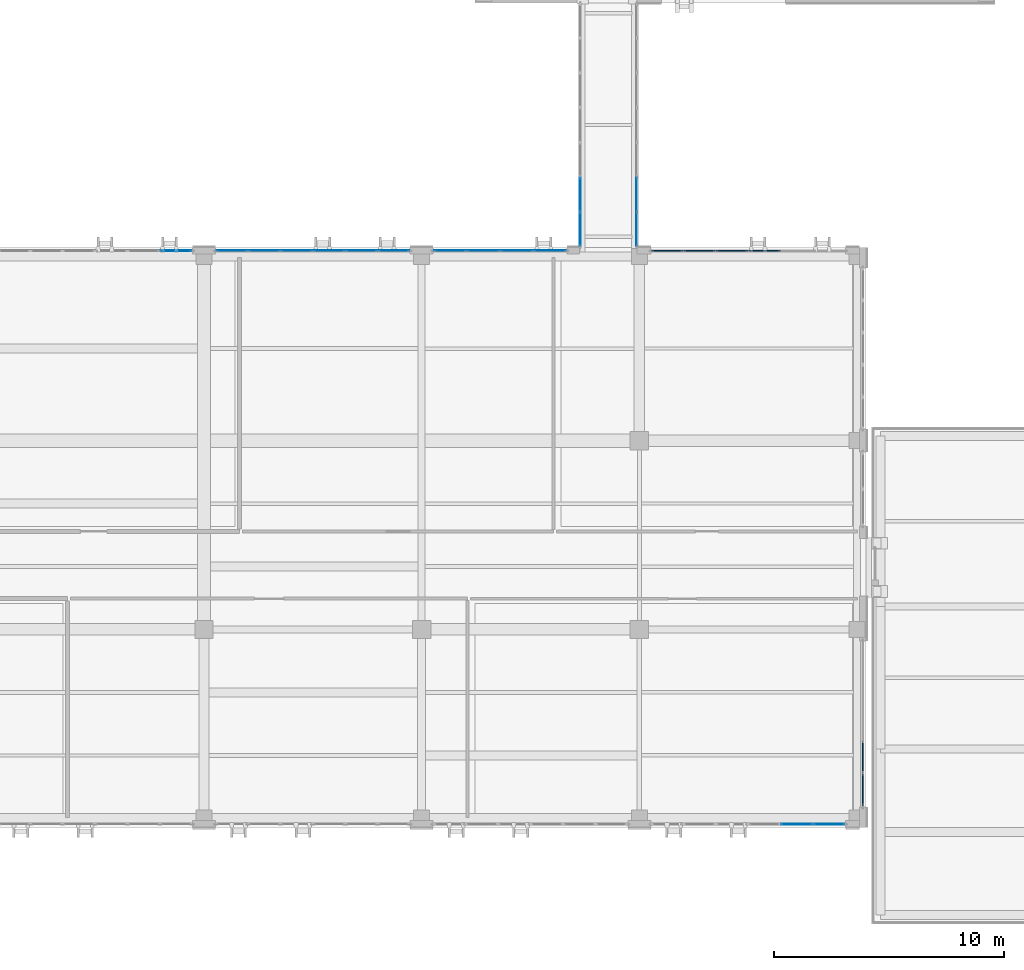
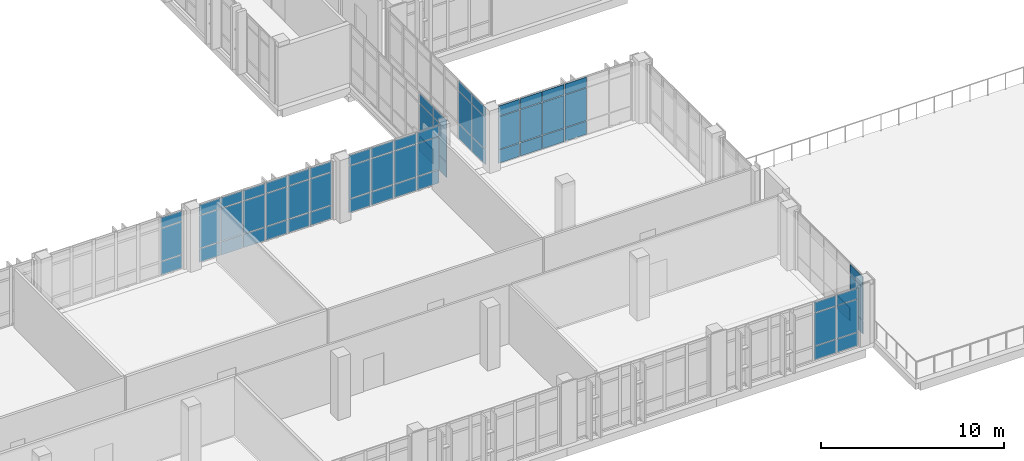
# One storey, part 119 of 165: 67 plates, 8 elements without a shape of their own.
"""IFC4 building model written with IfcOpenShell, lengths in metres."""

from ifc_helpers import new_model, si_unit, direction, frame, origin, origin_2d, place, context, subcontext, project, spatial, rectangle, extrude, material, layer, layer_set, type_object, element, aggregate, save


model = new_model("IFC4")

# Units and contexts
model_context = context("Model", 3, precision=1e-05, world=origin(), true_north=direction((0.0, 1.0)))
body_context = subcontext(model_context, "Body", "Model", "MODEL_VIEW")
ifc_project = project(units=[si_unit("LENGTHUNIT", "METRE"), si_unit("AREAUNIT", "SQUARE_METRE"), si_unit("VOLUMEUNIT", "CUBIC_METRE"), si_unit("PLANEANGLEUNIT", "RADIAN"), si_unit("MASSUNIT", "GRAM", prefix="KILO")], contexts=[model_context])

# Site, building, storey
site_placement = place(None, origin())
site = spatial("IfcSite", under=ifc_project, at=site_placement, CompositionType="ELEMENT")
building_placement = place(site_placement, origin())
building = spatial("IfcBuilding", under=site, at=building_placement, Name="Qalavern Law Courts", CompositionType="ELEMENT")
storey_placement = place(building_placement, frame((0.0, 0.0, 14.39990234375)))
storey = spatial("IfcBuildingStorey", under=building, at=storey_placement, Name="L03", CompositionType="ELEMENT", Elevation=14.39990234375)

# Curtain wall, plates
ifc_material_1 = material(Name="Anodised aluminium and insulated glazing", Category="aluminium")
ifc_layer_1 = layer(ifc_material_1, 0.18505859375)
ifc_layer_set_1 = layer_set([ifc_layer_1], Name="Anodised aluminium and insulated glazing")
curtain_wall_type_1 = type_object("IfcCurtainWallType", Name="ENV-CW-HALL", PredefinedType="USERDEFINED", material=ifc_layer_set_1)
curtain_wall_1_placement = place(storey_placement, origin())
curtain_wall_1 = element("IfcCurtainWall", 1, at=curtain_wall_1_placement, inside=storey, type_object=curtain_wall_type_1, Name="V2 unitised curtain wall L03 north 1", ObjectType="UNITISED CURTAIN WALL", PredefinedType="USERDEFINED")
ifc_material_2 = material(Name="Insulated low-E acoustic glazing", Category="glass")
ifc_layer_2 = layer(ifc_material_2, 0.02392578125)
ifc_layer_set_2 = layer_set([ifc_layer_2], Name="Insulated low-E acoustic glazing")
plate_type_1 = type_object("IfcPlateType", Name="ENV-CWP-24", PredefinedType="CURTAIN_PANEL", material=ifc_layer_set_2)
plate_1_placement = place(storey_placement, frame((87.4619140625, 30.25244140625, 0.048095703125), z_axis=(0.0, 0.0, 1.0), x_axis=(-1.0, 0.0, 0.0)))
plate_1 = element("IfcPlate", 2, at=plate_1_placement, type_object=plate_type_1, Name="CW-02 panel 1.1", PredefinedType="CURTAIN_PANEL", context=body_context, shape_type="SweptSolid", body=[
    extrude(rectangle(XDim=1.380126953125, YDim=0.02392578125, at=origin_2d()), origin(), (0.0, 0.0, 1.0), 0.8779296875),
])
plate_2_placement = place(storey_placement, frame((87.4619140625, 30.25244140625, 0.97412109375), z_axis=(0.0, 0.0, 1.0), x_axis=(-1.0, 0.0, 0.0)))
plate_2 = element("IfcPlate", 3, at=plate_2_placement, type_object=plate_type_1, Name="CW-02 panel 1.2", PredefinedType="CURTAIN_PANEL", context=body_context, shape_type="SweptSolid", body=[
    extrude(rectangle(XDim=1.380126953125, YDim=0.02392578125, at=origin_2d()), origin(), (0.0, 0.0, 1.0), 2.172119140625),
])
plate_3_placement = place(storey_placement, frame((87.4619140625, 30.25244140625, 3.1943359375), z_axis=(0.0, 0.0, 1.0), x_axis=(-1.0, 0.0, 0.0)))
plate_3 = element("IfcPlate", 4, at=plate_3_placement, type_object=plate_type_1, Name="CW-02 panel 1.3", PredefinedType="CURTAIN_PANEL", context=body_context, shape_type="SweptSolid", body=[
    extrude(rectangle(XDim=1.380126953125, YDim=0.02392578125, at=origin_2d()), origin(), (0.0, 0.0, 1.0), 0.677978515625),
])
plate_4_placement = place(storey_placement, frame((86.021728515625, 30.25244140625, 0.048095703125), z_axis=(0.0, 0.0, 1.0), x_axis=(-1.0, 0.0, 0.0)))
plate_4 = element("IfcPlate", 5, at=plate_4_placement, type_object=plate_type_1, Name="CW-02 panel 2.1", PredefinedType="CURTAIN_PANEL", context=body_context, shape_type="SweptSolid", body=[
    extrude(rectangle(XDim=1.404052734375, YDim=0.02392578125, at=origin_2d()), origin(), (0.0, 0.0, 1.0), 0.8779296875),
])
plate_5_placement = place(storey_placement, frame((86.021728515625, 30.25244140625, 0.97412109375), z_axis=(0.0, 0.0, 1.0), x_axis=(-1.0, 0.0, 0.0)))
plate_5 = element("IfcPlate", 6, at=plate_5_placement, type_object=plate_type_1, Name="CW-02 panel 2.2", PredefinedType="CURTAIN_PANEL", context=body_context, shape_type="SweptSolid", body=[
    extrude(rectangle(XDim=1.404052734375, YDim=0.02392578125, at=origin_2d()), origin(), (0.0, 0.0, 1.0), 2.172119140625),
])
plate_6_placement = place(storey_placement, frame((86.021728515625, 30.25244140625, 3.1943359375), z_axis=(0.0, 0.0, 1.0), x_axis=(-1.0, 0.0, 0.0)))
plate_6 = element("IfcPlate", 7, at=plate_6_placement, type_object=plate_type_1, Name="CW-02 panel 2.3", PredefinedType="CURTAIN_PANEL", context=body_context, shape_type="SweptSolid", body=[
    extrude(rectangle(XDim=1.404052734375, YDim=0.02392578125, at=origin_2d()), origin(), (0.0, 0.0, 1.0), 0.677978515625),
])
plate_7_placement = place(storey_placement, frame((84.569580078125, 30.25244140625, 0.048095703125), z_axis=(0.0, 0.0, 1.0), x_axis=(-1.0, 0.0, 0.0)))
plate_7 = element("IfcPlate", 8, at=plate_7_placement, type_object=plate_type_1, Name="CW-02 panel 3.1", PredefinedType="CURTAIN_PANEL", context=body_context, shape_type="SweptSolid", body=[
    extrude(rectangle(XDim=1.404052734375, YDim=0.02392578125, at=origin_2d()), origin(), (0.0, 0.0, 1.0), 0.8779296875),
])
plate_8_placement = place(storey_placement, frame((84.569580078125, 30.25244140625, 0.97412109375), z_axis=(0.0, 0.0, 1.0), x_axis=(-1.0, 0.0, 0.0)))
plate_8 = element("IfcPlate", 9, at=plate_8_placement, type_object=plate_type_1, Name="CW-02 panel 3.2", PredefinedType="CURTAIN_PANEL", context=body_context, shape_type="SweptSolid", body=[
    extrude(rectangle(XDim=1.404052734375, YDim=0.02392578125, at=origin_2d()), origin(), (0.0, 0.0, 1.0), 2.172119140625),
])
plate_9_placement = place(storey_placement, frame((84.569580078125, 30.25244140625, 3.1943359375), z_axis=(0.0, 0.0, 1.0), x_axis=(-1.0, 0.0, 0.0)))
plate_9 = element("IfcPlate", 10, at=plate_9_placement, type_object=plate_type_1, Name="CW-02 panel 3.3", PredefinedType="CURTAIN_PANEL", context=body_context, shape_type="SweptSolid", body=[
    extrude(rectangle(XDim=1.404052734375, YDim=0.02392578125, at=origin_2d()), origin(), (0.0, 0.0, 1.0), 0.677978515625),
])
plate_10_placement = place(storey_placement, frame((83.12939453125, 30.25244140625, 0.048095703125), z_axis=(0.0, 0.0, 1.0), x_axis=(-1.0, 0.0, 0.0)))
plate_10 = element("IfcPlate", 11, at=plate_10_placement, type_object=plate_type_1, Name="CW-02 panel 4.1", PredefinedType="CURTAIN_PANEL", context=body_context, shape_type="SweptSolid", body=[
    extrude(rectangle(XDim=1.380126953125, YDim=0.02392578125, at=origin_2d()), origin(), (0.0, 0.0, 1.0), 0.8779296875),
])
plate_11_placement = place(storey_placement, frame((83.12939453125, 30.25244140625, 0.97412109375), z_axis=(0.0, 0.0, 1.0), x_axis=(-1.0, 0.0, 0.0)))
plate_11 = element("IfcPlate", 12, at=plate_11_placement, type_object=plate_type_1, Name="CW-02 panel 4.2", PredefinedType="CURTAIN_PANEL", context=body_context, shape_type="SweptSolid", body=[
    extrude(rectangle(XDim=1.380126953125, YDim=0.02392578125, at=origin_2d()), origin(), (0.0, 0.0, 1.0), 2.172119140625),
])
plate_12_placement = place(storey_placement, frame((83.12939453125, 30.25244140625, 3.1943359375), z_axis=(0.0, 0.0, 1.0), x_axis=(-1.0, 0.0, 0.0)))
plate_12 = element("IfcPlate", 13, at=plate_12_placement, type_object=plate_type_1, Name="CW-02 panel 4.3", PredefinedType="CURTAIN_PANEL", context=body_context, shape_type="SweptSolid", body=[
    extrude(rectangle(XDim=1.380126953125, YDim=0.02392578125, at=origin_2d()), origin(), (0.0, 0.0, 1.0), 0.677978515625),
])
aggregate(curtain_wall_1, [plate_1, plate_2, plate_3, plate_4, plate_5, plate_6, plate_7, plate_8, plate_9, plate_10, plate_11, plate_12])

curtain_wall_2_placement = place(storey_placement, origin())
curtain_wall_2 = element("IfcCurtainWall", 14, at=curtain_wall_2_placement, inside=storey, type_object=curtain_wall_type_1, Name="V2 unitised curtain wall L03 north 2", ObjectType="UNITISED CURTAIN WALL", PredefinedType="USERDEFINED")
ifc_layer_3 = layer(ifc_material_2, 0.028076171875)
ifc_layer_set_3 = layer_set([ifc_layer_3], Name="Insulated low-E acoustic glazing")
plate_type_2 = type_object("IfcPlateType", Name="ENV-CWP-28", PredefinedType="CURTAIN_PANEL", material=ifc_layer_set_3)
plate_13_placement = place(storey_placement, frame((80.6748046875, 30.25244140625, 0.048095703125), z_axis=(0.0, 0.0, 1.0), x_axis=(-1.0, 0.0, 0.0)))
plate_13 = element("IfcPlate", 15, at=plate_13_placement, type_object=plate_type_2, Name="CW-02 panel 1.1", PredefinedType="CURTAIN_PANEL", context=body_context, shape_type="SweptSolid", body=[
    extrude(rectangle(XDim=1.337158203125, YDim=0.028076171875, at=origin_2d()), origin(), (0.0, 0.0, 1.0), 0.8779296875),
])
plate_14_placement = place(storey_placement, frame((80.6748046875, 30.25244140625, 0.97412109375), z_axis=(0.0, 0.0, 1.0), x_axis=(-1.0, 0.0, 0.0)))
plate_14 = element("IfcPlate", 16, at=plate_14_placement, type_object=plate_type_2, Name="CW-02 panel 1.2", PredefinedType="CURTAIN_PANEL", context=body_context, shape_type="SweptSolid", body=[
    extrude(rectangle(XDim=1.337158203125, YDim=0.028076171875, at=origin_2d()), origin(), (0.0, 0.0, 1.0), 2.172119140625),
])
plate_15_placement = place(storey_placement, frame((80.6748046875, 30.25244140625, 3.1943359375), z_axis=(0.0, 0.0, 1.0), x_axis=(-1.0, 0.0, 0.0)))
plate_15 = element("IfcPlate", 17, at=plate_15_placement, type_object=plate_type_2, Name="CW-02 panel 1.3", PredefinedType="CURTAIN_PANEL", context=body_context, shape_type="SweptSolid", body=[
    extrude(rectangle(XDim=1.337158203125, YDim=0.028076171875, at=origin_2d()), origin(), (0.0, 0.0, 1.0), 0.677978515625),
])
plate_16_placement = place(storey_placement, frame((79.27783203125, 30.25244140625, 0.048095703125), z_axis=(0.0, 0.0, 1.0), x_axis=(-1.0, 0.0, 0.0)))
plate_16 = element("IfcPlate", 18, at=plate_16_placement, type_object=plate_type_2, Name="CW-02 panel 2.1", PredefinedType="CURTAIN_PANEL", context=body_context, shape_type="SweptSolid", body=[
    extrude(rectangle(XDim=1.361083984375, YDim=0.028076171875, at=origin_2d()), origin(), (0.0, 0.0, 1.0), 0.8779296875),
])
plate_17_placement = place(storey_placement, frame((79.27783203125, 30.25244140625, 0.97412109375), z_axis=(0.0, 0.0, 1.0), x_axis=(-1.0, 0.0, 0.0)))
plate_17 = element("IfcPlate", 19, at=plate_17_placement, type_object=plate_type_2, Name="CW-02 panel 2.2", PredefinedType="CURTAIN_PANEL", context=body_context, shape_type="SweptSolid", body=[
    extrude(rectangle(XDim=1.361083984375, YDim=0.028076171875, at=origin_2d()), origin(), (0.0, 0.0, 1.0), 2.172119140625),
])
plate_18_placement = place(storey_placement, frame((79.27783203125, 30.25244140625, 3.1943359375), z_axis=(0.0, 0.0, 1.0), x_axis=(-1.0, 0.0, 0.0)))
plate_18 = element("IfcPlate", 20, at=plate_18_placement, type_object=plate_type_2, Name="CW-02 panel 2.3", PredefinedType="CURTAIN_PANEL", context=body_context, shape_type="SweptSolid", body=[
    extrude(rectangle(XDim=1.361083984375, YDim=0.028076171875, at=origin_2d()), origin(), (0.0, 0.0, 1.0), 0.677978515625),
])
plate_19_placement = place(storey_placement, frame((77.868896484375, 30.25244140625, 0.048095703125), z_axis=(0.0, 0.0, 1.0), x_axis=(-1.0, 0.0, 0.0)))
plate_19 = element("IfcPlate", 21, at=plate_19_placement, type_object=plate_type_2, Name="CW-02 panel 3.1", PredefinedType="CURTAIN_PANEL", context=body_context, shape_type="SweptSolid", body=[
    extrude(rectangle(XDim=1.361083984375, YDim=0.028076171875, at=origin_2d()), origin(), (0.0, 0.0, 1.0), 0.8779296875),
])
plate_20_placement = place(storey_placement, frame((77.868896484375, 30.25244140625, 0.97412109375), z_axis=(0.0, 0.0, 1.0), x_axis=(-1.0, 0.0, 0.0)))
plate_20 = element("IfcPlate", 22, at=plate_20_placement, type_object=plate_type_2, Name="CW-02 panel 3.2", PredefinedType="CURTAIN_PANEL", context=body_context, shape_type="SweptSolid", body=[
    extrude(rectangle(XDim=1.361083984375, YDim=0.028076171875, at=origin_2d()), origin(), (0.0, 0.0, 1.0), 2.172119140625),
])
plate_21_placement = place(storey_placement, frame((77.868896484375, 30.25244140625, 3.1943359375), z_axis=(0.0, 0.0, 1.0), x_axis=(-1.0, 0.0, 0.0)))
plate_21 = element("IfcPlate", 23, at=plate_21_placement, type_object=plate_type_2, Name="CW-02 panel 3.3", PredefinedType="CURTAIN_PANEL", context=body_context, shape_type="SweptSolid", body=[
    extrude(rectangle(XDim=1.361083984375, YDim=0.028076171875, at=origin_2d()), origin(), (0.0, 0.0, 1.0), 0.677978515625),
])
plate_22_placement = place(storey_placement, frame((76.459716796875, 30.25244140625, 0.048095703125), z_axis=(0.0, 0.0, 1.0), x_axis=(-1.0, 0.0, 0.0)))
plate_22 = element("IfcPlate", 24, at=plate_22_placement, type_object=plate_type_2, Name="CW-02 panel 4.1", PredefinedType="CURTAIN_PANEL", context=body_context, shape_type="SweptSolid", body=[
    extrude(rectangle(XDim=1.361083984375, YDim=0.028076171875, at=origin_2d()), origin(), (0.0, 0.0, 1.0), 0.8779296875),
])
plate_23_placement = place(storey_placement, frame((76.459716796875, 30.25244140625, 0.97412109375), z_axis=(0.0, 0.0, 1.0), x_axis=(-1.0, 0.0, 0.0)))
plate_23 = element("IfcPlate", 25, at=plate_23_placement, type_object=plate_type_2, Name="CW-02 panel 4.2", PredefinedType="CURTAIN_PANEL", context=body_context, shape_type="SweptSolid", body=[
    extrude(rectangle(XDim=1.361083984375, YDim=0.028076171875, at=origin_2d()), origin(), (0.0, 0.0, 1.0), 2.172119140625),
])
plate_24_placement = place(storey_placement, frame((76.459716796875, 30.25244140625, 3.1943359375), z_axis=(0.0, 0.0, 1.0), x_axis=(-1.0, 0.0, 0.0)))
plate_24 = element("IfcPlate", 26, at=plate_24_placement, type_object=plate_type_2, Name="CW-02 panel 4.3", PredefinedType="CURTAIN_PANEL", context=body_context, shape_type="SweptSolid", body=[
    extrude(rectangle(XDim=1.361083984375, YDim=0.028076171875, at=origin_2d()), origin(), (0.0, 0.0, 1.0), 0.677978515625),
])
plate_25_placement = place(storey_placement, frame((75.05078125, 30.25244140625, 0.048095703125), z_axis=(0.0, 0.0, 1.0), x_axis=(-1.0, 0.0, 0.0)))
plate_25 = element("IfcPlate", 27, at=plate_25_placement, type_object=plate_type_2, Name="CW-02 panel 5.1", PredefinedType="CURTAIN_PANEL", context=body_context, shape_type="SweptSolid", body=[
    extrude(rectangle(XDim=1.361083984375, YDim=0.028076171875, at=origin_2d()), origin(), (0.0, 0.0, 1.0), 0.8779296875),
])
plate_26_placement = place(storey_placement, frame((75.05078125, 30.25244140625, 0.97412109375), z_axis=(0.0, 0.0, 1.0), x_axis=(-1.0, 0.0, 0.0)))
plate_26 = element("IfcPlate", 28, at=plate_26_placement, type_object=plate_type_2, Name="CW-02 panel 5.2", PredefinedType="CURTAIN_PANEL", context=body_context, shape_type="SweptSolid", body=[
    extrude(rectangle(XDim=1.361083984375, YDim=0.028076171875, at=origin_2d()), origin(), (0.0, 0.0, 1.0), 2.172119140625),
])
plate_27_placement = place(storey_placement, frame((75.05078125, 30.25244140625, 3.1943359375), z_axis=(0.0, 0.0, 1.0), x_axis=(-1.0, 0.0, 0.0)))
plate_27 = element("IfcPlate", 29, at=plate_27_placement, type_object=plate_type_2, Name="CW-02 panel 5.3", PredefinedType="CURTAIN_PANEL", context=body_context, shape_type="SweptSolid", body=[
    extrude(rectangle(XDim=1.361083984375, YDim=0.028076171875, at=origin_2d()), origin(), (0.0, 0.0, 1.0), 0.677978515625),
])
plate_28_placement = place(storey_placement, frame((73.653564453125, 30.25244140625, 0.048095703125), z_axis=(0.0, 0.0, 1.0), x_axis=(-1.0, 0.0, 0.0)))
plate_28 = element("IfcPlate", 30, at=plate_28_placement, type_object=plate_type_2, Name="CW-02 panel 6.1", PredefinedType="CURTAIN_PANEL", context=body_context, shape_type="SweptSolid", body=[
    extrude(rectangle(XDim=1.337158203125, YDim=0.028076171875, at=origin_2d()), origin(), (0.0, 0.0, 1.0), 0.8779296875),
])
plate_29_placement = place(storey_placement, frame((73.653564453125, 30.25244140625, 0.97412109375), z_axis=(0.0, 0.0, 1.0), x_axis=(-1.0, 0.0, 0.0)))
plate_29 = element("IfcPlate", 31, at=plate_29_placement, type_object=plate_type_2, Name="CW-02 panel 6.2", PredefinedType="CURTAIN_PANEL", context=body_context, shape_type="SweptSolid", body=[
    extrude(rectangle(XDim=1.337158203125, YDim=0.028076171875, at=origin_2d()), origin(), (0.0, 0.0, 1.0), 2.172119140625),
])
plate_30_placement = place(storey_placement, frame((73.653564453125, 30.25244140625, 3.1943359375), z_axis=(0.0, 0.0, 1.0), x_axis=(-1.0, 0.0, 0.0)))
plate_30 = element("IfcPlate", 32, at=plate_30_placement, type_object=plate_type_2, Name="CW-02 panel 6.3", PredefinedType="CURTAIN_PANEL", context=body_context, shape_type="SweptSolid", body=[
    extrude(rectangle(XDim=1.337158203125, YDim=0.028076171875, at=origin_2d()), origin(), (0.0, 0.0, 1.0), 0.677978515625),
])
aggregate(curtain_wall_2, [plate_13, plate_14, plate_15, plate_16, plate_17, plate_18, plate_19, plate_20, plate_21, plate_22, plate_23, plate_24, plate_25, plate_26, plate_27, plate_28, plate_29, plate_30])

curtain_wall_3_placement = place(storey_placement, origin())
curtain_wall_3 = element("IfcCurtainWall", 33, at=curtain_wall_3_placement, inside=storey, type_object=curtain_wall_type_1, Name="V2 unitised curtain wall L03 north 3", ObjectType="UNITISED CURTAIN WALL", PredefinedType="USERDEFINED")
ifc_layer_4 = layer(ifc_material_2, 0.031982421875)
ifc_layer_set_4 = layer_set([ifc_layer_4], Name="Insulated low-E acoustic glazing")
plate_type_3 = type_object("IfcPlateType", Name="ENV-CWP-32", PredefinedType="CURTAIN_PANEL", material=ifc_layer_set_4)
plate_31_placement = place(storey_placement, frame((71.220703125, 30.25244140625, 0.048095703125), z_axis=(0.0, 0.0, 1.0), x_axis=(-1.0, 0.0, 0.0)))
plate_31 = element("IfcPlate", 34, at=plate_31_placement, type_object=plate_type_3, Name="CW-02 panel 1.1", PredefinedType="CURTAIN_PANEL", context=body_context, shape_type="SweptSolid", body=[
    extrude(rectangle(XDim=1.3369140625, YDim=0.031982421875, at=origin_2d()), origin(), (0.0, 0.0, 1.0), 0.8779296875),
])
plate_32_placement = place(storey_placement, frame((71.220703125, 30.25244140625, 0.97412109375), z_axis=(0.0, 0.0, 1.0), x_axis=(-1.0, 0.0, 0.0)))
plate_32 = element("IfcPlate", 35, at=plate_32_placement, type_object=plate_type_3, Name="CW-02 panel 1.2", PredefinedType="CURTAIN_PANEL", context=body_context, shape_type="SweptSolid", body=[
    extrude(rectangle(XDim=1.3369140625, YDim=0.031982421875, at=origin_2d()), origin(), (0.0, 0.0, 1.0), 2.172119140625),
])
plate_33_placement = place(storey_placement, frame((71.220703125, 30.25244140625, 3.1943359375), z_axis=(0.0, 0.0, 1.0), x_axis=(-1.0, 0.0, 0.0)))
plate_33 = element("IfcPlate", 36, at=plate_33_placement, type_object=plate_type_3, Name="CW-02 panel 1.3", PredefinedType="CURTAIN_PANEL", context=body_context, shape_type="SweptSolid", body=[
    extrude(rectangle(XDim=1.3369140625, YDim=0.031982421875, at=origin_2d()), origin(), (0.0, 0.0, 1.0), 0.677978515625),
])
aggregate(curtain_wall_3, [plate_31, plate_32, plate_33])

ifc_layer_5 = layer(ifc_material_1, 0.14990234375)
ifc_layer_set_5 = layer_set([ifc_layer_5], Name="Anodised aluminium and insulated glazing")
curtain_wall_type_2 = type_object("IfcCurtainWallType", Name="ENV-CW-BRG", PredefinedType="USERDEFINED", material=ifc_layer_set_5)
curtain_wall_4_placement = place(storey_placement, origin())
curtain_wall_4 = element("IfcCurtainWall", 37, at=curtain_wall_4_placement, inside=storey, type_object=curtain_wall_type_2, Name="Bridge BR-V2-V4 glazed curtain wall L03-1", ObjectType="UNITISED CURTAIN WALL", PredefinedType="USERDEFINED")
plate_34_placement = place(storey_placement, frame((88.77490234375, 32.687255859375, 0.048095703125), z_axis=(0.0, 0.0, 1.0), x_axis=(0.0, -1.0, 0.0)))
plate_34 = element("IfcPlate", 38, at=plate_34_placement, type_object=plate_type_3, Name="CW-06 panel 6.1", PredefinedType="CURTAIN_PANEL", context=body_context, shape_type="SweptSolid", body=[
    extrude(rectangle(XDim=1.46337890625, YDim=0.031982421875, at=origin_2d()), origin(), (0.0, 0.0, 1.0), 0.97802734375),
])
plate_35_placement = place(storey_placement, frame((88.77490234375, 32.687255859375, 1.073974609375), z_axis=(0.0, 0.0, 1.0), x_axis=(0.0, -1.0, 0.0)))
plate_35 = element("IfcPlate", 39, at=plate_35_placement, type_object=plate_type_3, Name="CW-06 panel 6.2", PredefinedType="CURTAIN_PANEL", context=body_context, shape_type="SweptSolid", body=[
    extrude(rectangle(XDim=1.46337890625, YDim=0.031982421875, at=origin_2d()), origin(), (0.0, 0.0, 1.0), 2.1220703125),
])
plate_36_placement = place(storey_placement, frame((88.77490234375, 32.687255859375, 3.244140625), z_axis=(0.0, 0.0, 1.0), x_axis=(0.0, -1.0, 0.0)))
plate_36 = element("IfcPlate", 40, at=plate_36_placement, type_object=plate_type_3, Name="CW-06 panel 6.3", PredefinedType="CURTAIN_PANEL", context=body_context, shape_type="SweptSolid", body=[
    extrude(rectangle(XDim=1.46337890625, YDim=0.031982421875, at=origin_2d()), origin(), (0.0, 0.0, 1.0), 0.6279296875),
])
plate_37_placement = place(storey_placement, frame((88.77490234375, 31.187744140625, 0.048095703125), z_axis=(0.0, 0.0, 1.0), x_axis=(0.0, -1.0, 0.0)))
plate_37 = element("IfcPlate", 41, at=plate_37_placement, type_object=plate_type_3, Name="CW-06 panel 7.1", PredefinedType="CURTAIN_PANEL", context=body_context, shape_type="SweptSolid", body=[
    extrude(rectangle(XDim=1.439453125, YDim=0.031982421875, at=origin_2d()), origin(), (0.0, 0.0, 1.0), 0.97802734375),
])
plate_38_placement = place(storey_placement, frame((88.77490234375, 31.187744140625, 1.073974609375), z_axis=(0.0, 0.0, 1.0), x_axis=(0.0, -1.0, 0.0)))
plate_38 = element("IfcPlate", 42, at=plate_38_placement, type_object=plate_type_3, Name="CW-06 panel 7.2", PredefinedType="CURTAIN_PANEL", context=body_context, shape_type="SweptSolid", body=[
    extrude(rectangle(XDim=1.439453125, YDim=0.031982421875, at=origin_2d()), origin(), (0.0, 0.0, 1.0), 2.1220703125),
])
plate_39_placement = place(storey_placement, frame((88.77490234375, 31.187744140625, 3.244140625), z_axis=(0.0, 0.0, 1.0), x_axis=(0.0, -1.0, 0.0)))
plate_39 = element("IfcPlate", 43, at=plate_39_placement, type_object=plate_type_3, Name="CW-06 panel 7.3", PredefinedType="CURTAIN_PANEL", context=body_context, shape_type="SweptSolid", body=[
    extrude(rectangle(XDim=1.439453125, YDim=0.031982421875, at=origin_2d()), origin(), (0.0, 0.0, 1.0), 0.6279296875),
])
aggregate(curtain_wall_4, [plate_34, plate_35, plate_36, plate_37, plate_38, plate_39])

curtain_wall_5_placement = place(storey_placement, origin())
curtain_wall_5 = element("IfcCurtainWall", 44, at=curtain_wall_5_placement, inside=storey, type_object=curtain_wall_type_2, Name="Bridge BR-V2-V4 glazed curtain wall L03-2", ObjectType="UNITISED CURTAIN WALL", PredefinedType="USERDEFINED")
plate_40_placement = place(storey_placement, frame((91.22509765625, 31.187744140625, 0.048095703125), z_axis=(0.0, 0.0, 1.0), x_axis=(0.0, 1.0, 0.0)))
plate_40 = element("IfcPlate", 45, at=plate_40_placement, type_object=plate_type_3, Name="CW-06 panel 1.1", PredefinedType="CURTAIN_PANEL", context=body_context, shape_type="SweptSolid", body=[
    extrude(rectangle(XDim=1.439453125, YDim=0.031982421875, at=origin_2d()), origin(), (0.0, 0.0, 1.0), 0.97802734375),
])
plate_41_placement = place(storey_placement, frame((91.22509765625, 31.187744140625, 1.073974609375), z_axis=(0.0, 0.0, 1.0), x_axis=(0.0, 1.0, 0.0)))
plate_41 = element("IfcPlate", 46, at=plate_41_placement, type_object=plate_type_3, Name="CW-06 panel 1.2", PredefinedType="CURTAIN_PANEL", context=body_context, shape_type="SweptSolid", body=[
    extrude(rectangle(XDim=1.439453125, YDim=0.031982421875, at=origin_2d()), origin(), (0.0, 0.0, 1.0), 2.1220703125),
])
plate_42_placement = place(storey_placement, frame((91.22509765625, 31.187744140625, 3.244140625), z_axis=(0.0, 0.0, 1.0), x_axis=(0.0, 1.0, 0.0)))
plate_42 = element("IfcPlate", 47, at=plate_42_placement, type_object=plate_type_3, Name="CW-06 panel 1.3", PredefinedType="CURTAIN_PANEL", context=body_context, shape_type="SweptSolid", body=[
    extrude(rectangle(XDim=1.439453125, YDim=0.031982421875, at=origin_2d()), origin(), (0.0, 0.0, 1.0), 0.6279296875),
])
plate_43_placement = place(storey_placement, frame((91.22509765625, 32.687255859375, 0.048095703125), z_axis=(0.0, 0.0, 1.0), x_axis=(0.0, 1.0, 0.0)))
plate_43 = element("IfcPlate", 48, at=plate_43_placement, type_object=plate_type_3, Name="CW-06 panel 2.1", PredefinedType="CURTAIN_PANEL", context=body_context, shape_type="SweptSolid", body=[
    extrude(rectangle(XDim=1.46337890625, YDim=0.031982421875, at=origin_2d()), origin(), (0.0, 0.0, 1.0), 0.97802734375),
])
plate_44_placement = place(storey_placement, frame((91.22509765625, 32.687255859375, 1.073974609375), z_axis=(0.0, 0.0, 1.0), x_axis=(0.0, 1.0, 0.0)))
plate_44 = element("IfcPlate", 49, at=plate_44_placement, type_object=plate_type_3, Name="CW-06 panel 2.2", PredefinedType="CURTAIN_PANEL", context=body_context, shape_type="SweptSolid", body=[
    extrude(rectangle(XDim=1.46337890625, YDim=0.031982421875, at=origin_2d()), origin(), (0.0, 0.0, 1.0), 2.1220703125),
])
plate_45_placement = place(storey_placement, frame((91.22509765625, 32.687255859375, 3.244140625), z_axis=(0.0, 0.0, 1.0), x_axis=(0.0, 1.0, 0.0)))
plate_45 = element("IfcPlate", 50, at=plate_45_placement, type_object=plate_type_3, Name="CW-06 panel 2.3", PredefinedType="CURTAIN_PANEL", context=body_context, shape_type="SweptSolid", body=[
    extrude(rectangle(XDim=1.46337890625, YDim=0.031982421875, at=origin_2d()), origin(), (0.0, 0.0, 1.0), 0.6279296875),
])
aggregate(curtain_wall_5, [plate_40, plate_41, plate_42, plate_43, plate_44, plate_45])

curtain_wall_6_placement = place(storey_placement, origin())
curtain_wall_6 = element("IfcCurtainWall", 51, at=curtain_wall_6_placement, inside=storey, type_object=curtain_wall_type_1, Name="V2 unitised curtain wall L03 south 6", ObjectType="UNITISED CURTAIN WALL", PredefinedType="USERDEFINED")
ifc_layer_6 = layer(ifc_material_2, 0.0400390625)
ifc_layer_set_6 = layer_set([ifc_layer_6], Name="Insulated low-E acoustic glazing")
plate_type_4 = type_object("IfcPlateType", Name="ENV-CWP-40", PredefinedType="CURTAIN_PANEL", material=ifc_layer_set_6)
plate_46_placement = place(storey_placement, frame((98.1865234375, 5.347412109375, 0.048095703125), z_axis=(0.0, 0.0, 1.0), x_axis=(1.0, 0.0, 0.0)))
plate_46 = element("IfcPlate", 52, at=plate_46_placement, type_object=plate_type_4, Name="CW-02 panel 5.1", PredefinedType="CURTAIN_PANEL", context=body_context, shape_type="SweptSolid", body=[
    extrude(rectangle(XDim=1.361083984375, YDim=0.0400390625, at=origin_2d()), origin(), (0.0, 0.0, 1.0), 0.8779296875),
])
plate_47_placement = place(storey_placement, frame((98.1865234375, 5.347412109375, 0.97412109375), z_axis=(0.0, 0.0, 1.0), x_axis=(1.0, 0.0, 0.0)))
plate_47 = element("IfcPlate", 53, at=plate_47_placement, type_object=plate_type_4, Name="CW-02 panel 5.2", PredefinedType="CURTAIN_PANEL", context=body_context, shape_type="SweptSolid", body=[
    extrude(rectangle(XDim=1.361083984375, YDim=0.0400390625, at=origin_2d()), origin(), (0.0, 0.0, 1.0), 2.172119140625),
])
plate_48_placement = place(storey_placement, frame((98.1865234375, 5.347412109375, 3.1943359375), z_axis=(0.0, 0.0, 1.0), x_axis=(1.0, 0.0, 0.0)))
plate_48 = element("IfcPlate", 54, at=plate_48_placement, type_object=plate_type_4, Name="CW-02 panel 5.3", PredefinedType="CURTAIN_PANEL", context=body_context, shape_type="SweptSolid", body=[
    extrude(rectangle(XDim=1.361083984375, YDim=0.0400390625, at=origin_2d()), origin(), (0.0, 0.0, 1.0), 0.677978515625),
])
plate_49_placement = place(storey_placement, frame((99.58349609375, 5.347412109375, 0.048095703125), z_axis=(0.0, 0.0, 1.0), x_axis=(1.0, 0.0, 0.0)))
plate_49 = element("IfcPlate", 55, at=plate_49_placement, type_object=plate_type_4, Name="CW-02 panel 6.1", PredefinedType="CURTAIN_PANEL", context=body_context, shape_type="SweptSolid", body=[
    extrude(rectangle(XDim=1.337158203125, YDim=0.0400390625, at=origin_2d()), origin(), (0.0, 0.0, 1.0), 0.8779296875),
])
plate_50_placement = place(storey_placement, frame((99.58349609375, 5.347412109375, 0.97412109375), z_axis=(0.0, 0.0, 1.0), x_axis=(1.0, 0.0, 0.0)))
plate_50 = element("IfcPlate", 56, at=plate_50_placement, type_object=plate_type_4, Name="CW-02 panel 6.2", PredefinedType="CURTAIN_PANEL", context=body_context, shape_type="SweptSolid", body=[
    extrude(rectangle(XDim=1.337158203125, YDim=0.0400390625, at=origin_2d()), origin(), (0.0, 0.0, 1.0), 2.172119140625),
])
plate_51_placement = place(storey_placement, frame((99.58349609375, 5.347412109375, 3.1943359375), z_axis=(0.0, 0.0, 1.0), x_axis=(1.0, 0.0, 0.0)))
plate_51 = element("IfcPlate", 57, at=plate_51_placement, type_object=plate_type_4, Name="CW-02 panel 6.3", PredefinedType="CURTAIN_PANEL", context=body_context, shape_type="SweptSolid", body=[
    extrude(rectangle(XDim=1.337158203125, YDim=0.0400390625, at=origin_2d()), origin(), (0.0, 0.0, 1.0), 0.677978515625),
])
aggregate(curtain_wall_6, [plate_46, plate_47, plate_48, plate_49, plate_50, plate_51])

curtain_wall_7_placement = place(storey_placement, origin())
curtain_wall_7 = element("IfcCurtainWall", 58, at=curtain_wall_7_placement, inside=storey, type_object=curtain_wall_type_1, Name="V2 unitised curtain wall L03 east 1", ObjectType="UNITISED CURTAIN WALL", PredefinedType="USERDEFINED")
ifc_layer_7 = layer(ifc_material_2, 0.052001953125)
ifc_layer_set_7 = layer_set([ifc_layer_7], Name="Insulated low-E acoustic glazing")
plate_type_5 = type_object("IfcPlateType", Name="ENV-CWP-52", PredefinedType="CURTAIN_PANEL", material=ifc_layer_set_7)
plate_52_placement = place(storey_placement, frame((101.052490234375, 6.83203125, 0.048095703125), z_axis=(0.0, 0.0, 1.0), x_axis=(0.0, 1.0, 0.0)))
plate_52 = element("IfcPlate", 59, at=plate_52_placement, type_object=plate_type_5, Name="CW-02 panel 1.1", PredefinedType="CURTAIN_PANEL", context=body_context, shape_type="SweptSolid", body=[
    extrude(rectangle(XDim=1.367919921875, YDim=0.052001953125, at=origin_2d()), origin(), (0.0, 0.0, 1.0), 0.8779296875),
])
plate_53_placement = place(storey_placement, frame((101.052490234375, 6.83203125, 0.97412109375), z_axis=(0.0, 0.0, 1.0), x_axis=(0.0, 1.0, 0.0)))
plate_53 = element("IfcPlate", 60, at=plate_53_placement, type_object=plate_type_5, Name="CW-02 panel 1.2", PredefinedType="CURTAIN_PANEL", context=body_context, shape_type="SweptSolid", body=[
    extrude(rectangle(XDim=1.367919921875, YDim=0.052001953125, at=origin_2d()), origin(), (0.0, 0.0, 1.0), 2.172119140625),
])
plate_54_placement = place(storey_placement, frame((101.052490234375, 6.83203125, 3.1943359375), z_axis=(0.0, 0.0, 1.0), x_axis=(0.0, 1.0, 0.0)))
plate_54 = element("IfcPlate", 61, at=plate_54_placement, type_object=plate_type_5, Name="CW-02 panel 1.3", PredefinedType="CURTAIN_PANEL", context=body_context, shape_type="SweptSolid", body=[
    extrude(rectangle(XDim=1.367919921875, YDim=0.052001953125, at=origin_2d()), origin(), (0.0, 0.0, 1.0), 0.677978515625),
])
plate_55_placement = place(storey_placement, frame((101.052490234375, 8.260009765625, 0.048095703125), z_axis=(0.0, 0.0, 1.0), x_axis=(0.0, 1.0, 0.0)))
plate_55 = element("IfcPlate", 62, at=plate_55_placement, type_object=plate_type_5, Name="CW-02 panel 2.1", PredefinedType="CURTAIN_PANEL", context=body_context, shape_type="SweptSolid", body=[
    extrude(rectangle(XDim=1.39208984375, YDim=0.052001953125, at=origin_2d()), origin(), (0.0, 0.0, 1.0), 0.8779296875),
])
aggregate(curtain_wall_7, [plate_52, plate_53, plate_54, plate_55])

curtain_wall_8_placement = place(storey_placement, origin())
curtain_wall_8 = element("IfcCurtainWall", 63, at=curtain_wall_8_placement, inside=storey, type_object=curtain_wall_type_1, Name="V2 unitised curtain wall L03 north 1", ObjectType="UNITISED CURTAIN WALL", PredefinedType="USERDEFINED")
plate_56_placement = place(storey_placement, frame((96.77734375, 30.25244140625, 0.048095703125), z_axis=(0.0, 0.0, 1.0), x_axis=(-1.0, 0.0, 0.0)))
plate_56 = element("IfcPlate", 64, at=plate_56_placement, type_object=plate_type_5, Name="CW-02 panel 3.1", PredefinedType="CURTAIN_PANEL", context=body_context, shape_type="SweptSolid", body=[
    extrude(rectangle(XDim=1.361083984375, YDim=0.052001953125, at=origin_2d()), origin(), (0.0, 0.0, 1.0), 0.8779296875),
])
plate_57_placement = place(storey_placement, frame((96.77734375, 30.25244140625, 0.97412109375), z_axis=(0.0, 0.0, 1.0), x_axis=(-1.0, 0.0, 0.0)))
plate_57 = element("IfcPlate", 65, at=plate_57_placement, type_object=plate_type_5, Name="CW-02 panel 3.2", PredefinedType="CURTAIN_PANEL", context=body_context, shape_type="SweptSolid", body=[
    extrude(rectangle(XDim=1.361083984375, YDim=0.052001953125, at=origin_2d()), origin(), (0.0, 0.0, 1.0), 2.172119140625),
])
plate_58_placement = place(storey_placement, frame((96.77734375, 30.25244140625, 3.1943359375), z_axis=(0.0, 0.0, 1.0), x_axis=(-1.0, 0.0, 0.0)))
plate_58 = element("IfcPlate", 66, at=plate_58_placement, type_object=plate_type_5, Name="CW-02 panel 3.3", PredefinedType="CURTAIN_PANEL", context=body_context, shape_type="SweptSolid", body=[
    extrude(rectangle(XDim=1.361083984375, YDim=0.052001953125, at=origin_2d()), origin(), (0.0, 0.0, 1.0), 0.677978515625),
])
plate_59_placement = place(storey_placement, frame((95.368408203125, 30.25244140625, 0.048095703125), z_axis=(0.0, 0.0, 1.0), x_axis=(-1.0, 0.0, 0.0)))
plate_59 = element("IfcPlate", 67, at=plate_59_placement, type_object=plate_type_5, Name="CW-02 panel 4.1", PredefinedType="CURTAIN_PANEL", context=body_context, shape_type="SweptSolid", body=[
    extrude(rectangle(XDim=1.361083984375, YDim=0.052001953125, at=origin_2d()), origin(), (0.0, 0.0, 1.0), 0.8779296875),
])
plate_60_placement = place(storey_placement, frame((95.368408203125, 30.25244140625, 0.97412109375), z_axis=(0.0, 0.0, 1.0), x_axis=(-1.0, 0.0, 0.0)))
plate_60 = element("IfcPlate", 68, at=plate_60_placement, type_object=plate_type_5, Name="CW-02 panel 4.2", PredefinedType="CURTAIN_PANEL", context=body_context, shape_type="SweptSolid", body=[
    extrude(rectangle(XDim=1.361083984375, YDim=0.052001953125, at=origin_2d()), origin(), (0.0, 0.0, 1.0), 2.172119140625),
])
plate_61_placement = place(storey_placement, frame((95.368408203125, 30.25244140625, 3.1943359375), z_axis=(0.0, 0.0, 1.0), x_axis=(-1.0, 0.0, 0.0)))
plate_61 = element("IfcPlate", 69, at=plate_61_placement, type_object=plate_type_5, Name="CW-02 panel 4.3", PredefinedType="CURTAIN_PANEL", context=body_context, shape_type="SweptSolid", body=[
    extrude(rectangle(XDim=1.361083984375, YDim=0.052001953125, at=origin_2d()), origin(), (0.0, 0.0, 1.0), 0.677978515625),
])
plate_62_placement = place(storey_placement, frame((93.959228515625, 30.25244140625, 0.048095703125), z_axis=(0.0, 0.0, 1.0), x_axis=(-1.0, 0.0, 0.0)))
plate_62 = element("IfcPlate", 70, at=plate_62_placement, type_object=plate_type_5, Name="CW-02 panel 5.1", PredefinedType="CURTAIN_PANEL", context=body_context, shape_type="SweptSolid", body=[
    extrude(rectangle(XDim=1.361083984375, YDim=0.052001953125, at=origin_2d()), origin(), (0.0, 0.0, 1.0), 0.8779296875),
])
plate_63_placement = place(storey_placement, frame((93.959228515625, 30.25244140625, 0.97412109375), z_axis=(0.0, 0.0, 1.0), x_axis=(-1.0, 0.0, 0.0)))
plate_63 = element("IfcPlate", 71, at=plate_63_placement, type_object=plate_type_5, Name="CW-02 panel 5.2", PredefinedType="CURTAIN_PANEL", context=body_context, shape_type="SweptSolid", body=[
    extrude(rectangle(XDim=1.361083984375, YDim=0.052001953125, at=origin_2d()), origin(), (0.0, 0.0, 1.0), 2.172119140625),
])
plate_64_placement = place(storey_placement, frame((93.959228515625, 30.25244140625, 3.1943359375), z_axis=(0.0, 0.0, 1.0), x_axis=(-1.0, 0.0, 0.0)))
plate_64 = element("IfcPlate", 72, at=plate_64_placement, type_object=plate_type_5, Name="CW-02 panel 5.3", PredefinedType="CURTAIN_PANEL", context=body_context, shape_type="SweptSolid", body=[
    extrude(rectangle(XDim=1.361083984375, YDim=0.052001953125, at=origin_2d()), origin(), (0.0, 0.0, 1.0), 0.677978515625),
])
plate_65_placement = place(storey_placement, frame((92.562255859375, 30.25244140625, 0.048095703125), z_axis=(0.0, 0.0, 1.0), x_axis=(-1.0, 0.0, 0.0)))
plate_65 = element("IfcPlate", 73, at=plate_65_placement, type_object=plate_type_5, Name="CW-02 panel 6.1", PredefinedType="CURTAIN_PANEL", context=body_context, shape_type="SweptSolid", body=[
    extrude(rectangle(XDim=1.337158203125, YDim=0.052001953125, at=origin_2d()), origin(), (0.0, 0.0, 1.0), 0.8779296875),
])
plate_66_placement = place(storey_placement, frame((92.562255859375, 30.25244140625, 0.97412109375), z_axis=(0.0, 0.0, 1.0), x_axis=(-1.0, 0.0, 0.0)))
plate_66 = element("IfcPlate", 74, at=plate_66_placement, type_object=plate_type_5, Name="CW-02 panel 6.2", PredefinedType="CURTAIN_PANEL", context=body_context, shape_type="SweptSolid", body=[
    extrude(rectangle(XDim=1.337158203125, YDim=0.052001953125, at=origin_2d()), origin(), (0.0, 0.0, 1.0), 2.172119140625),
])
plate_67_placement = place(storey_placement, frame((92.562255859375, 30.25244140625, 3.1943359375), z_axis=(0.0, 0.0, 1.0), x_axis=(-1.0, 0.0, 0.0)))
plate_67 = element("IfcPlate", 75, at=plate_67_placement, type_object=plate_type_5, Name="CW-02 panel 6.3", PredefinedType="CURTAIN_PANEL", context=body_context, shape_type="SweptSolid", body=[
    extrude(rectangle(XDim=1.337158203125, YDim=0.052001953125, at=origin_2d()), origin(), (0.0, 0.0, 1.0), 0.677978515625),
])
aggregate(curtain_wall_8, [plate_56, plate_57, plate_58, plate_59, plate_60, plate_61, plate_62, plate_63, plate_64, plate_65, plate_66, plate_67])

save(model, "model.ifc")
